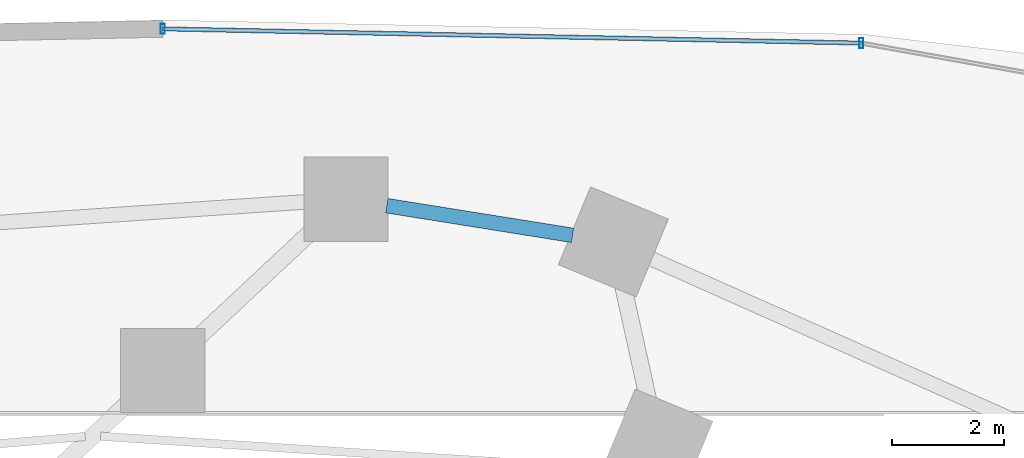
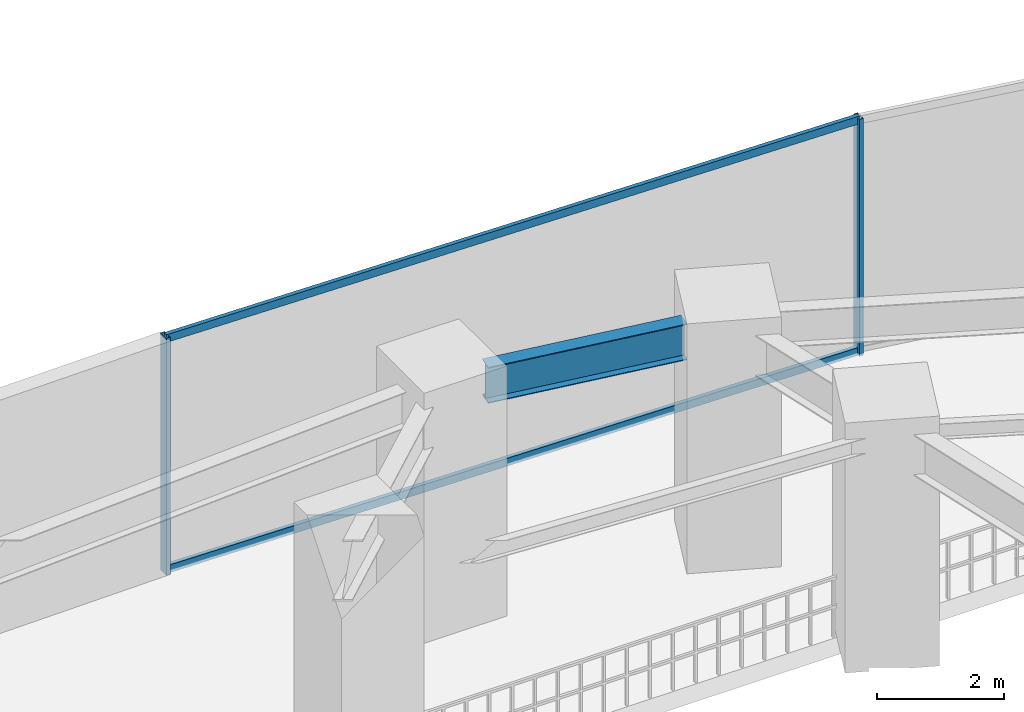
# One storey, part 20 of 36: 4 members, 1 beam, 1 element without a shape of its own.
"""IFC4 building model written with IfcOpenShell, lengths in metres."""

from ifc_helpers import new_model, si_unit, direction, frame, origin, origin_2d, place, context, subcontext, project, spatial, hollow_rectangle, i_section, extrude, material, material_profile, profile_set, type_object, element, aggregate, save


model = new_model("IFC4")

# Units and contexts
model_context = context("Model", 3, precision=1e-05, world=origin(), true_north=direction((0.0, 1.0)))
body_context = subcontext(model_context, "Body", "Model", "MODEL_VIEW")
ifc_project = project(units=[si_unit("LENGTHUNIT", "METRE"), si_unit("AREAUNIT", "SQUARE_METRE"), si_unit("VOLUMEUNIT", "CUBIC_METRE"), si_unit("PLANEANGLEUNIT", "RADIAN"), si_unit("MASSUNIT", "GRAM", prefix="KILO")], contexts=[model_context])

# Site, building, storey
site_placement = place(None, origin())
site = spatial("IfcSite", under=ifc_project, at=site_placement, CompositionType="ELEMENT")
building_placement = place(site_placement, origin())
building = spatial("IfcBuilding", under=site, at=building_placement, Name="Vorneva Point Tower", CompositionType="ELEMENT")
storey_placement = place(building_placement, origin())
storey = spatial("IfcBuildingStorey", under=building, at=storey_placement, Name="L00", CompositionType="ELEMENT", Elevation=0.0)

# Beam
ifc_material_1 = material(Name="Steel S355", Category="steel")
ifc_material_profile_1 = material_profile(ifc_material_1, i_section(OverallWidth=0.260009765625, OverallDepth=0.69091796875, WebThickness=0.011962890625, FlangeThickness=0.015380859375, at=origin_2d()), Name="70B1")
ifc_profile_set_1 = profile_set([ifc_material_profile_1], Name="Steel S355")
beam_type = type_object("IfcBeamType", Name="BM-SPN-70B1", PredefinedType="SPANDREL", material=ifc_profile_set_1)
beam_placement = place(storey_placement, frame((45.30029296875, 45.607666015625, 4.134521484375), z_axis=(-0.98747243374, 0.157791611323, 0.0), x_axis=(-0.157791611323, -0.98747243374, 0.0)))
element("IfcBeam", 1, at=beam_placement, inside=storey, type_object=beam_type, Name="L00 Perimeter Spandrel Ring Beam 04", PredefinedType="SPANDREL", context=body_context, shape_type="SweptSolid", body=[
    extrude(i_section(OverallWidth=0.260009765625, OverallDepth=0.69091796875, WebThickness=0.011962890625, FlangeThickness=0.015380859375, at=origin_2d()), origin(), (0.0, 0.0, 1.0), 3.351318359375),
])

# Curtain wall, members
ifc_material_2 = material(Name="Pale anodised aluminium", Category="aluminium")
curtain_wall_type = type_object("IfcCurtainWallType", Name="CW-POD-SYS", PredefinedType="NOTDEFINED", material=ifc_material_2)
curtain_wall_placement = place(storey_placement, origin())
curtain_wall = element("IfcCurtainWall", 2, at=curtain_wall_placement, inside=storey, type_object=curtain_wall_type, Name="L00 Unitised Curtain Wall CW-L00-R02", PredefinedType="NOTDEFINED")
ifc_material_profile_2 = material_profile(ifc_material_2, hollow_rectangle(XDim=0.074951171875, YDim=0.179931640625, WallThickness=0.00390625, at=origin_2d()), Name="AL-MUL 180x75x4")
ifc_profile_set_2 = profile_set([ifc_material_profile_2], Name="Pale anodised aluminium")
member_type_1 = type_object("IfcMemberType", Name="CW-MUL-180", PredefinedType="MULLION", material=ifc_profile_set_2)
member_1_placement = place(storey_placement, frame((50.4423828125, 49.031494140625, -0.0400390625), z_axis=(0.0, 0.0, 1.0), x_axis=(1.0, 0.0, 0.0)))
member_1 = element("IfcMember", 3, at=member_1_placement, type_object=member_type_1, Name="CW-L00-R02 Mullion 02", PredefinedType="MULLION", context=body_context, shape_type="SweptSolid", body=[
    extrude(hollow_rectangle(XDim=0.074951171875, YDim=0.179931640625, WallThickness=0.00390625, at=origin_2d()), origin(), (0.0, 0.0, 1.0), 4.550048828125),
])
member_2_placement = place(storey_placement, frame((38.0, 49.285400390625, -0.0400390625), z_axis=(0.0, 0.0, 1.0), x_axis=(1.0, 0.0, 0.0)))
member_2 = element("IfcMember", 4, at=member_2_placement, type_object=member_type_1, Name="CW-L00-R02 Mullion 03", PredefinedType="MULLION", context=body_context, shape_type="SweptSolid", body=[
    extrude(hollow_rectangle(XDim=0.074951171875, YDim=0.179931640625, WallThickness=0.00390625, at=origin_2d()), origin(), (0.0, 0.0, 1.0), 4.550048828125),
])
ifc_material_profile_3 = material_profile(ifc_material_2, hollow_rectangle(XDim=0.074951171875, YDim=0.14990234375, WallThickness=0.00390625, at=origin_2d()), Name="AL-TRN 150x75x4")
ifc_profile_set_3 = profile_set([ifc_material_profile_3], Name="Pale anodised aluminium")
member_type_2 = type_object("IfcMemberType", Name="CW-TRN-150", PredefinedType="USERDEFINED", material=ifc_profile_set_3)
member_3_placement = place(storey_placement, frame((50.4423828125, 49.031494140625, 0.02001953125), z_axis=(-0.999791851131, 0.020402313892, 0.0), x_axis=(-0.020402313892, -0.999791851131, 0.0)))
member_3 = element("IfcMember", 5, at=member_3_placement, type_object=member_type_2, Name="CW-L00-R02 Transom 02.1", ObjectType="TRANSOM", PredefinedType="USERDEFINED", context=body_context, shape_type="SweptSolid", body=[
    extrude(hollow_rectangle(XDim=0.074951171875, YDim=0.14990234375, WallThickness=0.00390625, at=origin_2d()), origin(), (0.0, 0.0, 1.0), 12.445068359375),
])
member_4_placement = place(storey_placement, frame((50.4423828125, 49.031494140625, 4.4599609375), z_axis=(-0.999791851131, 0.020402313892, 0.0), x_axis=(-0.020402313892, -0.999791851131, 0.0)))
member_4 = element("IfcMember", 6, at=member_4_placement, type_object=member_type_2, Name="CW-L00-R02 Transom 02.2", ObjectType="TRANSOM", PredefinedType="USERDEFINED", context=body_context, shape_type="SweptSolid", body=[
    extrude(hollow_rectangle(XDim=0.074951171875, YDim=0.14990234375, WallThickness=0.00390625, at=origin_2d()), origin(), (0.0, 0.0, 1.0), 12.445068359375),
])
aggregate(curtain_wall, [member_1, member_2, member_3, member_4])

save(model, "model.ifc")
